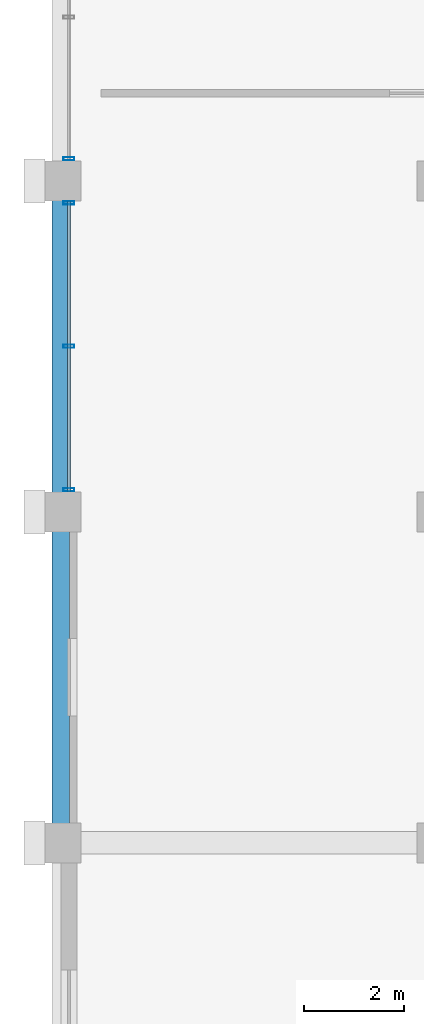
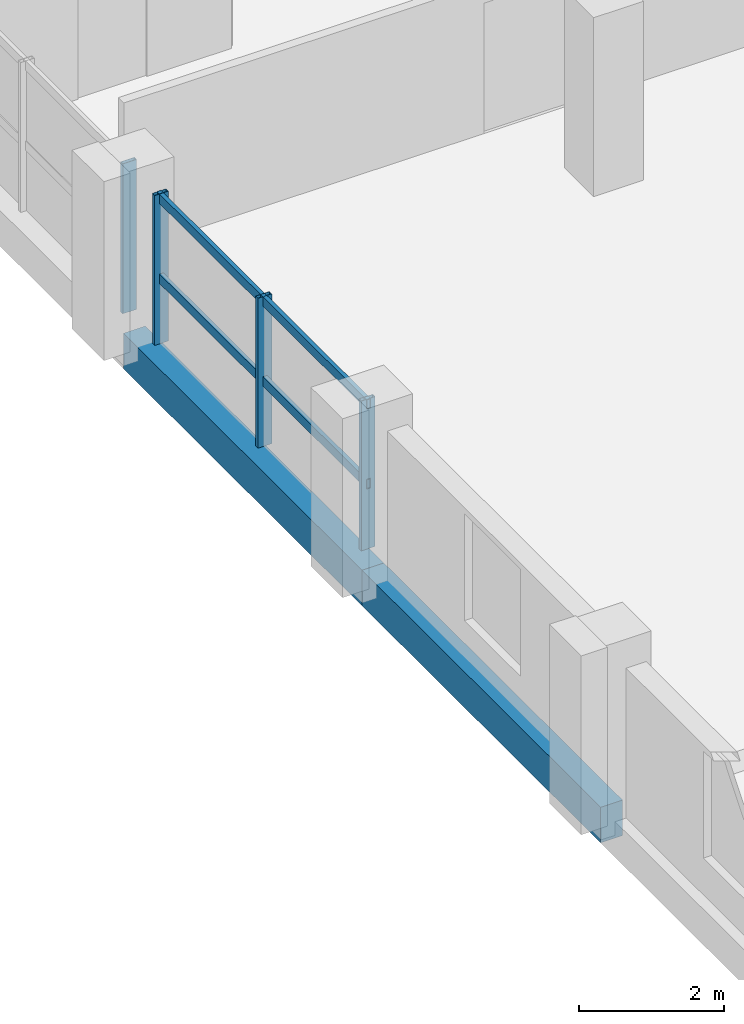
# One storey, part 5 of 23: 6 members, 2 beams, 2 elements without a shape of their own.
"""IFC4 building model written with IfcOpenShell, lengths in metres."""

from ifc_helpers import new_model, si_unit, direction, frame, origin, origin_2d, place, context, subcontext, project, spatial, rectangle, hollow_rectangle, extrude, material, material_profile, profile_set, type_object, element, aggregate, save


model = new_model("IFC4")

# Units and contexts
model_context = context("Model", 3, precision=1e-05, world=origin(), true_north=direction((0.0, 1.0)))
body_context = subcontext(model_context, "Body", "Model", "MODEL_VIEW")
ifc_project = project(units=[si_unit("LENGTHUNIT", "METRE"), si_unit("AREAUNIT", "SQUARE_METRE"), si_unit("VOLUMEUNIT", "CUBIC_METRE"), si_unit("PLANEANGLEUNIT", "RADIAN"), si_unit("MASSUNIT", "GRAM", prefix="KILO")], contexts=[model_context])

# Site, building, storey
site_placement = place(None, origin())
site = spatial("IfcSite", under=ifc_project, at=site_placement, CompositionType="ELEMENT")
building_placement = place(site_placement, origin())
building = spatial("IfcBuilding", under=site, at=building_placement, Name="Akrevak Sports Hall", CompositionType="ELEMENT")
storey_placement = place(building_placement, frame((0.0, 0.0, 47.050048828125)))
storey = spatial("IfcBuildingStorey", under=building, at=storey_placement, Name="L11", CompositionType="ELEMENT", Elevation=47.050048828125)

# Curtain wall, member
ifc_material_1 = material(Name="Anodized Bronze Aluminium & Low-E Glass", Category="aluminium")
curtain_wall_type = type_object("IfcCurtainWallType", Name="ARC-CW-TWR-56x30", PredefinedType="NOTDEFINED", material=ifc_material_1)
curtain_wall_1_placement = place(storey_placement, origin())
curtain_wall_1 = element("IfcCurtainWall", 1, at=curtain_wall_1_placement, inside=storey, type_object=curtain_wall_type, Name="Curtain Wall CW-L11-W30", PredefinedType="NOTDEFINED")
ifc_material_2 = material(Name="Anodized Bronze Aluminium", Category="aluminium")
ifc_material_profile_1 = material_profile(ifc_material_2, hollow_rectangle(XDim=0.06494140625, YDim=0.219970703125, WallThickness=0.00439453125, at=origin_2d()), Name="CWM 65x220", Category="aluminium")
ifc_profile_set_1 = profile_set([ifc_material_profile_1], Name="Anodized Bronze Aluminium")
member_type_1 = type_object("IfcMemberType", Name="ARC-CWM-70x160", PredefinedType="MULLION", material=ifc_profile_set_1)
member_1_placement = place(storey_placement, frame((52.659912109375, 49.0400390625, 0.0), z_axis=(0.0, 0.0, 1.0), x_axis=(0.0, -1.0, 0.0)))
member_1 = element("IfcMember", 2, at=member_1_placement, type_object=member_type_1, Name="Curtain Wall Mullion CW-L11-W30-M3", PredefinedType="MULLION", context=body_context, shape_type="SweptSolid", body=[
    extrude(hollow_rectangle(XDim=0.06494140625, YDim=0.219970703125, WallThickness=0.00439453125, at=origin_2d()), origin(), (0.0, 0.0, 1.0), 2.530029296875),
])
aggregate(curtain_wall_1, [member_1])

# Curtain wall, members
curtain_wall_2_placement = place(storey_placement, origin())
curtain_wall_2 = element("IfcCurtainWall", 3, at=curtain_wall_2_placement, inside=storey, type_object=curtain_wall_type, Name="Curtain Wall CW-L11-W31", PredefinedType="NOTDEFINED")
member_2_placement = place(storey_placement, frame((52.659912109375, 48.159912109375, 0.0), z_axis=(0.0, 0.0, 1.0), x_axis=(0.0, -1.0, 0.0)))
member_2 = element("IfcMember", 4, at=member_2_placement, type_object=member_type_1, Name="Curtain Wall Mullion CW-L11-W31-M1", PredefinedType="MULLION", context=body_context, shape_type="SweptSolid", body=[
    extrude(hollow_rectangle(XDim=0.06494140625, YDim=0.219970703125, WallThickness=0.00439453125, at=origin_2d()), origin(), (0.0, 0.0, 1.0), 2.530029296875),
])
member_3_placement = place(storey_placement, frame((52.659912109375, 45.300048828125, 0.0), z_axis=(0.0, 0.0, 1.0), x_axis=(0.0, -1.0, 0.0)))
member_3 = element("IfcMember", 5, at=member_3_placement, type_object=member_type_1, Name="Curtain Wall Mullion CW-L11-W31-M2", PredefinedType="MULLION", context=body_context, shape_type="SweptSolid", body=[
    extrude(hollow_rectangle(XDim=0.06494140625, YDim=0.219970703125, WallThickness=0.00439453125, at=origin_2d()), origin(), (0.0, 0.0, 1.0), 2.530029296875),
])
member_4_placement = place(storey_placement, frame((52.659912109375, 42.43994140625, 0.0), z_axis=(0.0, 0.0, 1.0), x_axis=(0.0, -1.0, 0.0)))
member_4 = element("IfcMember", 6, at=member_4_placement, type_object=member_type_1, Name="Curtain Wall Mullion CW-L11-W31-M3", PredefinedType="MULLION", context=body_context, shape_type="SweptSolid", body=[
    extrude(hollow_rectangle(XDim=0.06494140625, YDim=0.219970703125, WallThickness=0.00439453125, at=origin_2d()), origin(), (0.0, 0.0, 1.0), 2.530029296875),
])
ifc_material_profile_2 = material_profile(ifc_material_2, hollow_rectangle(XDim=0.06494140625, YDim=0.159912109375, WallThickness=0.00390625, at=origin_2d()), Name="CWT 65x160", Category="aluminium")
ifc_profile_set_2 = profile_set([ifc_material_profile_2], Name="Anodized Bronze Aluminium")
member_type_2 = type_object("IfcMemberType", Name="ARC-CWT-70x130", PredefinedType="USERDEFINED", material=ifc_profile_set_2)
member_5_placement = place(storey_placement, frame((52.659912109375, 48.199951171875, 1.099853515625), z_axis=(0.0, -1.0, 0.0), x_axis=(1.0, 0.0, 0.0)))
member_5 = element("IfcMember", 7, at=member_5_placement, type_object=member_type_2, Name="Curtain Wall Transom CW-L11-W31-T1", ObjectType="TRANSOM", PredefinedType="USERDEFINED", context=body_context, shape_type="SweptSolid", body=[
    extrude(hollow_rectangle(XDim=0.06494140625, YDim=0.159912109375, WallThickness=0.00390625, at=origin_2d()), origin(), (0.0, 0.0, 1.0), 5.800048828125),
])
member_6_placement = place(storey_placement, frame((52.659912109375, 48.199951171875, 2.449951171875), z_axis=(0.0, -1.0, 0.0), x_axis=(1.0, 0.0, 0.0)))
member_6 = element("IfcMember", 8, at=member_6_placement, type_object=member_type_2, Name="Curtain Wall Transom CW-L11-W31-T2", ObjectType="TRANSOM", PredefinedType="USERDEFINED", context=body_context, shape_type="SweptSolid", body=[
    extrude(hollow_rectangle(XDim=0.06494140625, YDim=0.159912109375, WallThickness=0.00390625, at=origin_2d()), origin(), (0.0, 0.0, 1.0), 5.800048828125),
])
aggregate(curtain_wall_2, [member_2, member_3, member_4, member_5, member_6])

# Beams
ifc_material_3 = material(Name="Concrete C40/50", Category="concrete")
ifc_material_profile_3 = material_profile(ifc_material_3, rectangle(XDim=0.35009765625, YDim=0.60009765625, at=origin_2d()), Name="BM 350x600", Category="concrete")
ifc_profile_set_3 = profile_set([ifc_material_profile_3], Name="Concrete C40/50")
beam_type = type_object("IfcBeamType", Name="STR-BM-RC350x600", PredefinedType="BEAM", material=ifc_profile_set_3)
for number, where, z_axis, x_axis, name in (
    (9, (52.5, 35.39990234375, -0.300048828125), (0.0, 1.0, 0.0), (-1.0, 0.0, 0.0), "Girder 8/F-G (L11)"),
    (10, (52.5, 42.0, -0.300048828125), (0.0, 1.0, 0.0), (-1.0, 0.0, 0.0), "Girder 8/G-H (L11)"),
):
    element("IfcBeam", number, at=place(storey_placement, frame(where, z_axis=z_axis, x_axis=x_axis)), inside=storey, type_object=beam_type, Name=name, PredefinedType="BEAM", context=body_context, shape_type="SweptSolid", body=[
        extrude(rectangle(XDim=0.35009765625, YDim=0.60009765625, at=origin_2d()), origin(), (0.0, 0.0, 1.0), 6.60009765625),
    ])

save(model, "model.ifc")
